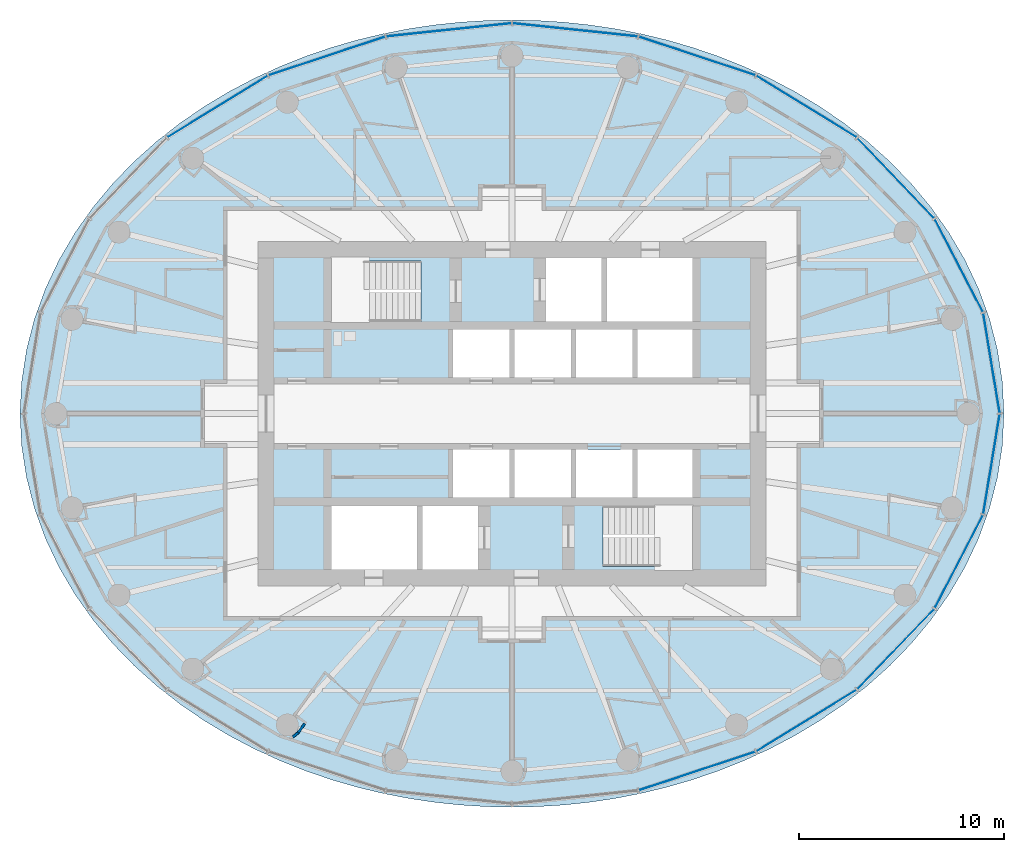
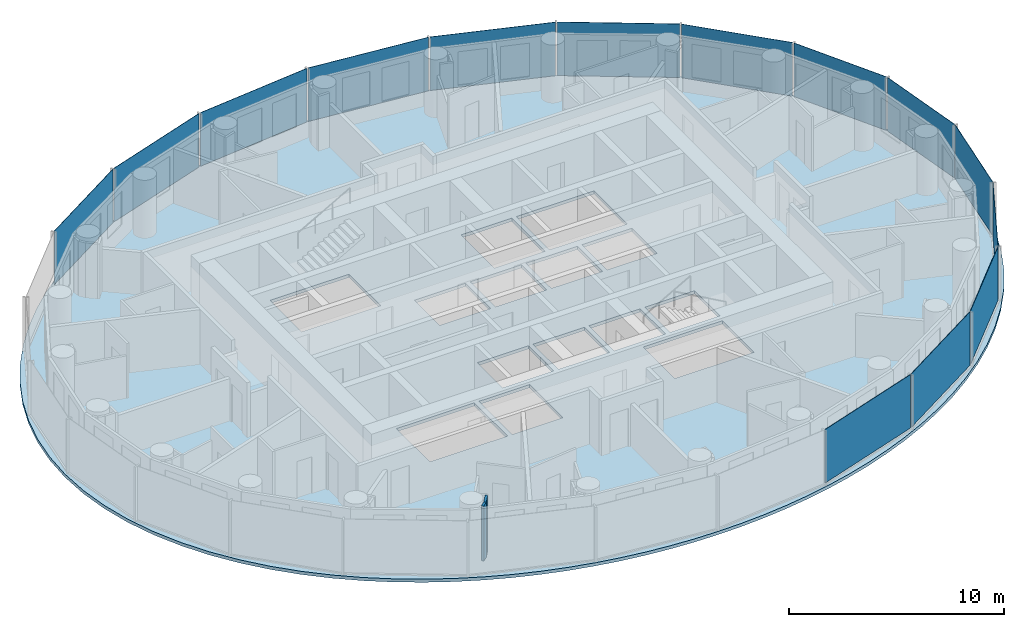
# One storey, part 5 of 16: 14 plates, 2 walls, 1 slab, 3 elements without a shape of their own.
"""IFC4 building model written with IfcOpenShell, lengths in metres."""

from ifc_helpers import new_model, si_unit, direction, frame, frame_2d, origin, origin_2d, place, context, subcontext, project, spatial, polyline, rectangle, outline, extrude, material, layer, layer_set, type_object, element, aggregate, save


model = new_model("IFC4")

# Units and contexts
model_context = context("Model", 3, precision=1e-05, world=origin(), true_north=direction((0.0, 1.0)))
body_context = subcontext(model_context, "Body", "Model", "MODEL_VIEW")
ifc_project = project(units=[si_unit("LENGTHUNIT", "METRE"), si_unit("AREAUNIT", "SQUARE_METRE"), si_unit("VOLUMEUNIT", "CUBIC_METRE"), si_unit("PLANEANGLEUNIT", "RADIAN"), si_unit("MASSUNIT", "GRAM", prefix="KILO")], contexts=[model_context])

# Site, building, storey
site_placement = place(None, origin())
site = spatial("IfcSite", under=ifc_project, at=site_placement, CompositionType="ELEMENT")
building_placement = place(site_placement, origin())
building = spatial("IfcBuilding", under=site, at=building_placement, Name="Hankou Lantern Tower", CompositionType="ELEMENT")
storey_placement = place(building_placement, frame((0.0, 0.0, 150.0)))
storey = spatial("IfcBuildingStorey", under=building, at=storey_placement, Name="L39", CompositionType="ELEMENT", Elevation=150.0)

# Curtain wall, plates
ifc_material_1 = material(Name="Glass, dark grey tinted laminated", Category="glass")
curtain_wall_type = type_object("IfcCurtainWallType", Name="CWC OUTER SKIN HIGH-RISE", PredefinedType="USERDEFINED", material=ifc_material_1)
curtain_wall_1_placement = place(storey_placement, origin())
curtain_wall_1 = element("IfcCurtainWall", 1, at=curtain_wall_1_placement, inside=storey, type_object=curtain_wall_type, Name="CWC L39 OS1", ObjectType="OUTER SKIN HIGH-RISE", PredefinedType="USERDEFINED")
ifc_material_2 = material(Name="Glass, dark grey tinted laminated", Category="glass")
ifc_layer_1 = layer(ifc_material_2, 0.02392578125)
ifc_layer_set_1 = layer_set([ifc_layer_1], Name="Glass, dark grey tinted laminated")
plate_type = type_object("IfcPlateType", Name="PN1 OUTER SKIN GLASS PANEL", PredefinedType="CURTAIN_PANEL", material=ifc_layer_set_1)
plate_1_placement = place(storey_placement, frame((23.39453125, 2.4638671875, 0.080078125), z_axis=(0.0, 0.0, 1.0), x_axis=(-0.162381515188, 0.986728049427, 0.0)))
plate_1 = element("IfcPlate", 2, at=plate_1_placement, type_object=plate_type, Name="CWC glass panel 1", PredefinedType="CURTAIN_PANEL", context=body_context, shape_type="SweptSolid", body=[
    extrude(rectangle(XDim=4.914306640625, YDim=0.02392578125, at=origin_2d()), origin(), (0.0, 0.0, 1.0), 3.0400390625),
])
plate_2_placement = place(storey_placement, frame((21.80029296875, 7.223876953125, 0.080078125), z_axis=(0.0, 0.0, 1.0), x_axis=(-0.459791091957, 0.888027112062, 0.0)))
plate_2 = element("IfcPlate", 3, at=plate_2_placement, type_object=plate_type, Name="CWC glass panel 2", PredefinedType="CURTAIN_PANEL", context=body_context, shape_type="SweptSolid", body=[
    extrude(rectangle(XDim=5.091064453125, YDim=0.02392578125, at=origin_2d()), origin(), (0.0, 0.0, 1.0), 3.0400390625),
])
plate_3_placement = place(storey_placement, frame((18.72021484375, 11.49169921875, 0.080078125), z_axis=(0.0, 0.0, 1.0), x_axis=(-0.692215809936, 0.721690565599, 0.0)))
plate_3 = element("IfcPlate", 4, at=plate_3_placement, type_object=plate_type, Name="CWC glass panel 3", PredefinedType="CURTAIN_PANEL", context=body_context, shape_type="SweptSolid", body=[
    extrude(rectangle(XDim=5.384033203125, YDim=0.02392578125, at=origin_2d()), origin(), (0.0, 0.0, 1.0), 3.0400390625),
])
plate_4_placement = place(storey_placement, frame((14.364501953125, 14.976318359375, 0.080078125), z_axis=(0.0, 0.0, 1.0), x_axis=(-0.852237151549, 0.523155653242, 0.0)))
plate_4 = element("IfcPlate", 5, at=plate_4_placement, type_object=plate_type, Name="CWC glass panel 4", PredefinedType="CURTAIN_PANEL", context=body_context, shape_type="SweptSolid", body=[
    extrude(rectangle(XDim=5.703857421875, YDim=0.02392578125, at=origin_2d()), origin(), (0.0, 0.0, 1.0), 3.0400390625),
])
plate_5_placement = place(storey_placement, frame((9.030029296875, 17.440185546875, 0.080078125), z_axis=(0.0, 0.0, 1.0), x_axis=(-0.949240677293, 0.31455068999, 0.0)))
plate_5 = element("IfcPlate", 6, at=plate_5_placement, type_object=plate_type, Name="CWC glass panel 5", PredefinedType="CURTAIN_PANEL", context=body_context, shape_type="SweptSolid", body=[
    extrude(rectangle(XDim=5.967041015625, YDim=0.02392578125, at=origin_2d()), origin(), (0.0, 0.0, 1.0), 3.0400390625),
])
plate_6_placement = place(storey_placement, frame((3.079833984375, 18.715576171875, 0.080078125), z_axis=(0.0, 0.0, 1.0), x_axis=(-0.994499359107, 0.104742659579, 0.0)))
plate_6 = element("IfcPlate", 7, at=plate_6_placement, type_object=plate_type, Name="CWC glass panel 6", PredefinedType="CURTAIN_PANEL", context=body_context, shape_type="SweptSolid", body=[
    extrude(rectangle(XDim=6.114013671875, YDim=0.02392578125, at=origin_2d()), origin(), (0.0, 0.0, 1.0), 3.0400390625),
])
aggregate(curtain_wall_1, [plate_1, plate_2, plate_3, plate_4, plate_5, plate_6])

curtain_wall_2_placement = place(storey_placement, origin())
curtain_wall_2 = element("IfcCurtainWall", 8, at=curtain_wall_2_placement, inside=storey, type_object=curtain_wall_type, Name="CWC L39 OS2", ObjectType="OUTER SKIN HIGH-RISE", PredefinedType="USERDEFINED")
plate_7_placement = place(storey_placement, frame((-3.079833984375, 18.715576171875, 0.080078125), z_axis=(0.0, 0.0, 1.0), x_axis=(-0.994499359107, -0.104742659579, 0.0)))
plate_7 = element("IfcPlate", 9, at=plate_7_placement, type_object=plate_type, Name="CWC glass panel 1", PredefinedType="CURTAIN_PANEL", context=body_context, shape_type="SweptSolid", body=[
    extrude(rectangle(XDim=6.114013671875, YDim=0.02392578125, at=origin_2d()), origin(), (0.0, 0.0, 1.0), 3.0400390625),
])
plate_8_placement = place(storey_placement, frame((-9.030029296875, 17.440185546875, 0.080078125), z_axis=(0.0, 0.0, 1.0), x_axis=(-0.949240677293, -0.31455068999, 0.0)))
plate_8 = element("IfcPlate", 10, at=plate_8_placement, type_object=plate_type, Name="CWC glass panel 2", PredefinedType="CURTAIN_PANEL", context=body_context, shape_type="SweptSolid", body=[
    extrude(rectangle(XDim=5.967041015625, YDim=0.02392578125, at=origin_2d()), origin(), (0.0, 0.0, 1.0), 3.0400390625),
])
plate_9_placement = place(storey_placement, frame((-14.364501953125, 14.976318359375, 0.080078125), z_axis=(0.0, 0.0, 1.0), x_axis=(-0.852237151549, -0.523155653242, 0.0)))
plate_9 = element("IfcPlate", 11, at=plate_9_placement, type_object=plate_type, Name="CWC glass panel 3", PredefinedType="CURTAIN_PANEL", context=body_context, shape_type="SweptSolid", body=[
    extrude(rectangle(XDim=5.703857421875, YDim=0.02392578125, at=origin_2d()), origin(), (0.0, 0.0, 1.0), 3.0400390625),
])
aggregate(curtain_wall_2, [plate_7, plate_8, plate_9])

curtain_wall_3_placement = place(storey_placement, origin())
curtain_wall_3 = element("IfcCurtainWall", 12, at=curtain_wall_3_placement, inside=storey, type_object=curtain_wall_type, Name="CWC L39 OS4", ObjectType="OUTER SKIN HIGH-RISE", PredefinedType="USERDEFINED")
plate_10_placement = place(storey_placement, frame((9.030029296875, -17.440185546875, 0.080078125), z_axis=(0.0, 0.0, 1.0), x_axis=(0.949240677293, 0.31455068999, 0.0)))
plate_10 = element("IfcPlate", 13, at=plate_10_placement, type_object=plate_type, Name="CWC glass panel 2", PredefinedType="CURTAIN_PANEL", context=body_context, shape_type="SweptSolid", body=[
    extrude(rectangle(XDim=5.967041015625, YDim=0.02392578125, at=origin_2d()), origin(), (0.0, 0.0, 1.0), 3.0400390625),
])
plate_11_placement = place(storey_placement, frame((14.364501953125, -14.976318359375, 0.080078125), z_axis=(0.0, 0.0, 1.0), x_axis=(0.852237151549, 0.523155653242, 0.0)))
plate_11 = element("IfcPlate", 14, at=plate_11_placement, type_object=plate_type, Name="CWC glass panel 3", PredefinedType="CURTAIN_PANEL", context=body_context, shape_type="SweptSolid", body=[
    extrude(rectangle(XDim=5.703857421875, YDim=0.02392578125, at=origin_2d()), origin(), (0.0, 0.0, 1.0), 3.0400390625),
])
plate_12_placement = place(storey_placement, frame((18.72021484375, -11.49169921875, 0.080078125), z_axis=(0.0, 0.0, 1.0), x_axis=(0.692215809936, 0.721690565599, 0.0)))
plate_12 = element("IfcPlate", 15, at=plate_12_placement, type_object=plate_type, Name="CWC glass panel 4", PredefinedType="CURTAIN_PANEL", context=body_context, shape_type="SweptSolid", body=[
    extrude(rectangle(XDim=5.384033203125, YDim=0.02392578125, at=origin_2d()), origin(), (0.0, 0.0, 1.0), 3.0400390625),
])
plate_13_placement = place(storey_placement, frame((21.80029296875, -7.223876953125, 0.080078125), z_axis=(0.0, 0.0, 1.0), x_axis=(0.459791091957, 0.888027112062, 0.0)))
plate_13 = element("IfcPlate", 16, at=plate_13_placement, type_object=plate_type, Name="CWC glass panel 5", PredefinedType="CURTAIN_PANEL", context=body_context, shape_type="SweptSolid", body=[
    extrude(rectangle(XDim=5.091064453125, YDim=0.02392578125, at=origin_2d()), origin(), (0.0, 0.0, 1.0), 3.0400390625),
])
plate_14_placement = place(storey_placement, frame((23.39453125, -2.4638671875, 0.080078125), z_axis=(0.0, 0.0, 1.0), x_axis=(0.162381515188, 0.986728049427, 0.0)))
plate_14 = element("IfcPlate", 17, at=plate_14_placement, type_object=plate_type, Name="CWC glass panel 6", PredefinedType="CURTAIN_PANEL", context=body_context, shape_type="SweptSolid", body=[
    extrude(rectangle(XDim=4.914306640625, YDim=0.02392578125, at=origin_2d()), origin(), (0.0, 0.0, 1.0), 3.0400390625),
])
aggregate(curtain_wall_3, [plate_10, plate_11, plate_12, plate_13, plate_14])

# Slab
ifc_material_3 = material(Name="Concrete C50", Category="concrete")
ifc_layer_2 = layer(ifc_material_3, 0.179931640625)
ifc_layer_set_2 = layer_set([ifc_layer_2], Name="Concrete C50")
slab_type = type_object("IfcSlabType", Name="S1 CONCRETE FLOOR SLAB 180", PredefinedType="FLOOR", material=ifc_layer_set_2)
slab_placement = place(storey_placement, frame((0.0, 0.0, -0.179931640625)))
element("IfcSlab", 18, at=slab_placement, inside=storey, type_object=slab_type, Name="Floor slab L39", PredefinedType="FLOOR", context=body_context, shape_type="SweptSolid", body=[
    extrude(outline(polyline([(24.0, 0.0), (23.919921875, 1.56787109375), (23.681396484375, 3.11767578125), (23.290771484375, 4.6328125), (22.75732421875, 6.097900390625), (22.09326171875, 7.499755859375), (21.312744140625, 8.827880859375), (20.43017578125, 10.0751953125), (19.461181640625, 11.23583984375), (18.420166015625, 12.307861328125), (17.320556640625, 13.29052734375), (16.174560546875, 14.184814453125), (14.99267578125, 14.99267578125), (13.783935546875, 15.717529296875), (12.5556640625, 16.363037109375), (11.31396484375, 16.9326171875), (10.0634765625, 17.4306640625), (8.8076171875, 17.8603515625), (7.54931640625, 18.225341796875), (6.289794921875, 18.52880859375), (5.0302734375, 18.7734375), (3.771728515625, 18.96142578125), (2.513916015625, 19.094482421875), (1.256591796875, 19.173583984375), (0.0, 19.199951171875), (-1.256591796875, 19.173583984375), (-2.513916015625, 19.094482421875), (-3.771728515625, 18.96142578125), (-5.0302734375, 18.7734375), (-6.289794921875, 18.52880859375), (-7.54931640625, 18.225341796875), (-8.8076171875, 17.8603515625), (-10.0634765625, 17.4306640625), (-11.31396484375, 16.9326171875), (-12.5556640625, 16.363037109375), (-13.783935546875, 15.717529296875), (-14.99267578125, 14.99267578125), (-16.174560546875, 14.184814453125), (-17.320556640625, 13.29052734375), (-18.420166015625, 12.307861328125), (-19.461181640625, 11.23583984375), (-20.43017578125, 10.0751953125), (-21.312744140625, 8.827880859375), (-22.09326171875, 7.499755859375), (-22.75732421875, 6.097900390625), (-23.290771484375, 4.6328125), (-23.681396484375, 3.11767578125), (-23.919921875, 1.56787109375), (-24.0, 0.0), (-23.919921875, -1.56787109375), (-23.681396484375, -3.11767578125), (-23.290771484375, -4.6328125), (-22.75732421875, -6.097900390625), (-22.09326171875, -7.499755859375), (-21.312744140625, -8.827880859375), (-20.43017578125, -10.0751953125), (-19.461181640625, -11.23583984375), (-18.420166015625, -12.307861328125), (-17.320556640625, -13.29052734375), (-16.174560546875, -14.184814453125), (-14.99267578125, -14.99267578125), (-13.783935546875, -15.717529296875), (-12.5556640625, -16.363037109375), (-11.31396484375, -16.9326171875), (-10.0634765625, -17.4306640625), (-8.8076171875, -17.8603515625), (-7.54931640625, -18.225341796875), (-6.289794921875, -18.52880859375), (-5.0302734375, -18.7734375), (-3.771728515625, -18.96142578125), (-2.513916015625, -19.094482421875), (-1.256591796875, -19.173583984375), (0.0, -19.199951171875), (1.256591796875, -19.173583984375), (2.513916015625, -19.094482421875), (3.771728515625, -18.96142578125), (5.0302734375, -18.7734375), (6.289794921875, -18.52880859375), (7.54931640625, -18.225341796875), (8.8076171875, -17.8603515625), (10.0634765625, -17.4306640625), (11.31396484375, -16.9326171875), (12.5556640625, -16.363037109375), (13.783935546875, -15.717529296875), (14.99267578125, -14.99267578125), (16.174560546875, -14.184814453125), (17.320556640625, -13.29052734375), (18.420166015625, -12.307861328125), (19.461181640625, -11.23583984375), (20.43017578125, -10.0751953125), (21.312744140625, -8.827880859375), (22.09326171875, -7.499755859375), (22.75732421875, -6.097900390625), (23.290771484375, -4.6328125), (23.681396484375, -3.11767578125), (23.919921875, -1.56787109375), (24.0, 0.0)]), holes=[polyline([(-2.875, 4.10009765625), (-0.125, 4.10009765625), (-0.125, 1.75), (-2.875, 1.75), (-2.875, 4.10009765625)]), polyline([(0.125, 4.10009765625), (2.875, 4.10009765625), (2.875, 1.75), (0.125, 1.75), (0.125, 4.10009765625)]), polyline([(3.125, 4.10009765625), (5.875, 4.10009765625), (5.875, 1.75), (3.125, 1.75), (3.125, 4.10009765625)]), polyline([(6.125, 4.10009765625), (8.800048828125, 4.10009765625), (8.800048828125, 1.75), (6.125, 1.75), (6.125, 4.10009765625)]), polyline([(-2.875, -1.75), (-0.125, -1.75), (-0.125, -4.10009765625), (-2.875, -4.10009765625), (-2.875, -1.75)]), polyline([(0.125, -1.75), (2.875, -1.75), (2.875, -4.10009765625), (0.125, -4.10009765625), (0.125, -1.75)]), polyline([(3.125, -1.75), (5.875, -1.75), (5.875, -4.10009765625), (3.125, -4.10009765625), (3.125, -1.75)]), polyline([(6.125, -1.75), (8.800048828125, -1.75), (8.800048828125, -4.10009765625), (6.125, -4.10009765625), (6.125, -1.75)]), polyline([(1.64990234375, 7.60009765625), (4.375, 7.60009765625), (4.375, 4.5), (1.64990234375, 4.5), (1.64990234375, 7.60009765625)]), polyline([(-4.375, -4.5), (-1.64990234375, -4.5), (-1.64990234375, -7.60009765625), (-4.375, -7.60009765625), (-4.375, -4.5)]), polyline([(-8.699951171875, 7.449951171875), (-4.449951171875, 7.449951171875), (-4.449951171875, 4.5), (-8.699951171875, 4.5), (-8.699951171875, 7.449951171875)]), polyline([(4.449951171875, -4.5), (8.699951171875, -4.5), (8.699951171875, -7.449951171875), (4.449951171875, -7.449951171875), (4.449951171875, -4.5)]), polyline([(4.625, 7.60009765625), (8.800048828125, 7.60009765625), (8.800048828125, 4.5), (4.625, 4.5), (4.625, 7.60009765625)]), polyline([(-8.800048828125, -4.5), (-4.625, -4.5), (-4.625, -7.60009765625), (-8.800048828125, -7.60009765625), (-8.800048828125, -4.5)])]), origin(), (0.0, 0.0, 1.0), 0.179931640625),
])

# Walls
ifc_material_4 = material(Name="Masonry lightweight concrete block", Category="masonry")
ifc_layer_3 = layer(ifc_material_4, 0.1201171875)
ifc_layer_set_3 = layer_set([ifc_layer_3], Name="Masonry lightweight concrete block")
wall_type = type_object("IfcWallType", Name="IW3 BATHROOM WALL 120", PredefinedType="PARTITIONING", material=ifc_layer_set_3)
wall_1_placement = place(storey_placement, frame((-10.10888671875, -15.121826171875, 0.0), z_axis=(0.0, 0.0, 1.0), x_axis=(-0.585344718358, -0.810784534072, 0.0)))
element("IfcWall", 19, at=wall_1_placement, inside=storey, type_object=wall_type, Name="Column casing 3910", PredefinedType="PARTITIONING", context=body_context, shape_type="SweptSolid", body=[
    extrude(rectangle(XDim=0.550048828125, YDim=0.1201171875, at=frame_2d((0.27490234375, 0.0))), origin(), (0.0, 0.0, 1.0), 3.1201171875),
])
wall_2_placement = place(storey_placement, frame((-10.430908203125, -15.56787109375, 0.0), z_axis=(0.0, 0.0, 1.0), x_axis=(-0.77505137267, -0.631898227345, 0.0)))
element("IfcWall", 20, at=wall_2_placement, inside=storey, type_object=wall_type, Name="Column casing 3910", PredefinedType="PARTITIONING", context=body_context, shape_type="SweptSolid", body=[
    extrude(rectangle(XDim=0.337646484375, YDim=0.1201171875, at=frame_2d((0.1689453125, 0.0))), origin(), (0.0, 0.0, 1.0), 3.1201171875),
])

save(model, "model.ifc")
